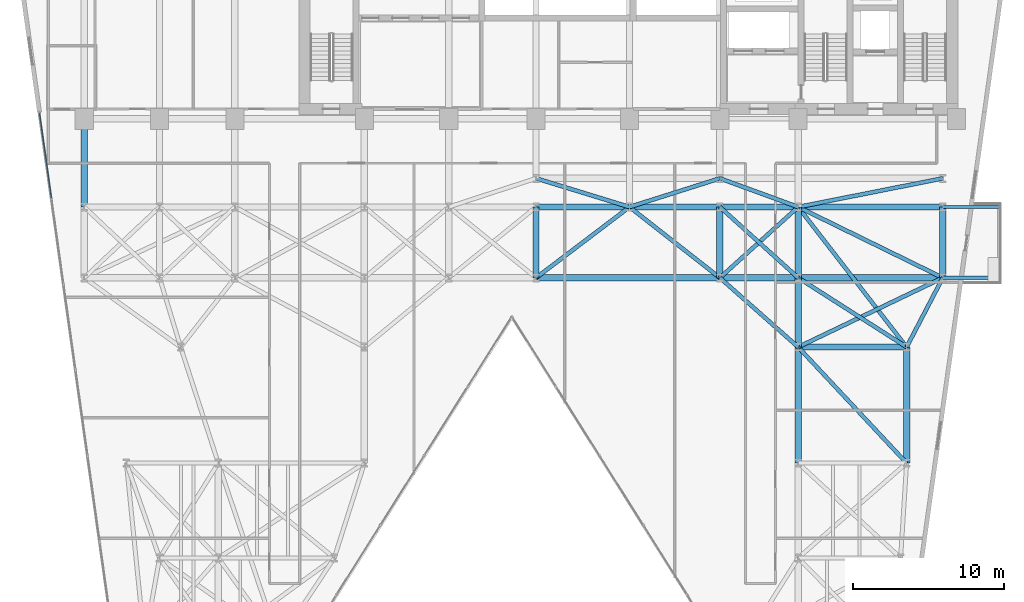
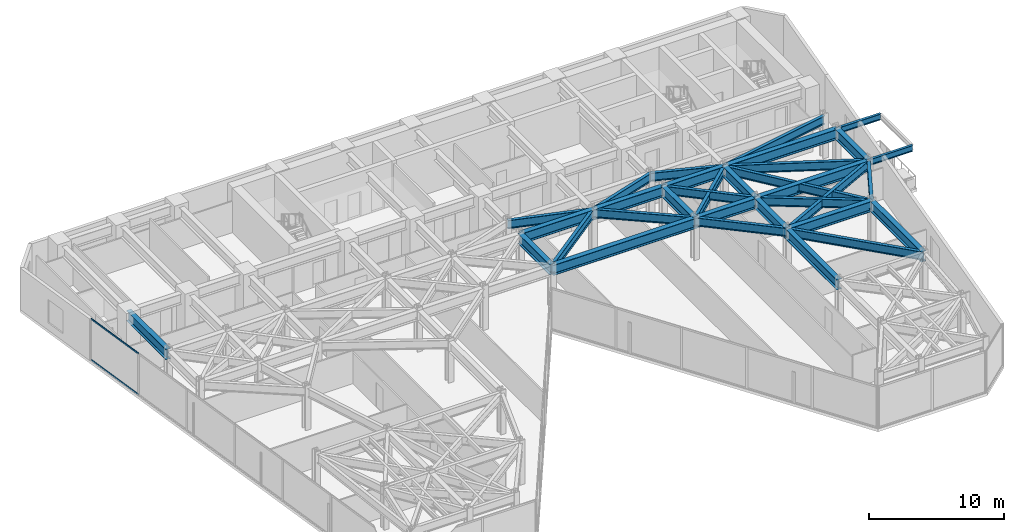
# One storey, part 16 of 24: 33 beams, 2 members, 1 element without a shape of its own.
"""IFC4 building model written with IfcOpenShell, lengths in metres."""

from ifc_helpers import new_model, si_unit, direction, frame, origin, origin_2d, place, context, subcontext, project, spatial, hollow_rectangle, i_section, extrude, material, layer, layer_set, material_profile, profile_set, type_object, element, aggregate, save


model = new_model("IFC4")

# Units and contexts
model_context = context("Model", 3, precision=1e-05, world=origin(), true_north=direction((0.0, 1.0)))
body_context = subcontext(model_context, "Body", "Model", "MODEL_VIEW")
ifc_project = project(units=[si_unit("LENGTHUNIT", "METRE"), si_unit("AREAUNIT", "SQUARE_METRE"), si_unit("VOLUMEUNIT", "CUBIC_METRE"), si_unit("PLANEANGLEUNIT", "RADIAN"), si_unit("MASSUNIT", "GRAM", prefix="KILO")], contexts=[model_context])

# Site, building, storey
site_placement = place(None, origin())
site = spatial("IfcSite", under=ifc_project, at=site_placement, CompositionType="ELEMENT")
building_placement = place(site_placement, origin())
building = spatial("IfcBuilding", under=site, at=building_placement, Name="Kravanh Interchange Tower", CompositionType="ELEMENT")
storey_placement = place(building_placement, frame((0.0, 0.0, 53.5)))
storey = spatial("IfcBuildingStorey", under=building, at=storey_placement, Name="L12", CompositionType="ELEMENT", Elevation=53.5)

# Curtain wall, members
ifc_material_1 = material(Name="Anodised Bronze Aluminium", Category="aluminium")
ifc_layer = layer(ifc_material_1, 0.179931640625)
ifc_layer_set = layer_set([ifc_layer], Name="Unitised Curtain Wall System CW-Z1 Lower Office")
curtain_wall_type = type_object("IfcCurtainWallType", Name="Unitised Curtain Wall System CW-Z1 Lower Office", PredefinedType="NOTDEFINED", material=ifc_layer_set)
curtain_wall_placement = place(storey_placement, origin())
curtain_wall = element("IfcCurtainWall", 1, at=curtain_wall_placement, inside=storey, type_object=curtain_wall_type, Name="L12 Unitised Curtain Wall CW-L12-01", PredefinedType="NOTDEFINED")
ifc_material_2 = material(Name="Anodised Bronze Aluminium", Category="aluminium")
ifc_material_profile_1 = material_profile(ifc_material_2, hollow_rectangle(XDim=0.06005859375, YDim=0.139892578125, WallThickness=0.00390625, at=origin_2d()), Name="ALU60X140X4")
ifc_profile_set_1 = profile_set([ifc_material_profile_1], Name="Anodised Bronze Aluminium")
member_type = type_object("IfcMemberType", Name="Curtain Wall Transom ALU60X140X4 Bronze", PredefinedType="USERDEFINED", material=ifc_profile_set_1)
member_1_placement = place(storey_placement, frame((6.422607421875, 32.1240234375, 0.030029296875), z_axis=(-0.139193386559, 0.990265217575, 0.0), x_axis=(-0.990265217575, -0.139193386559, 0.0)))
member_1 = element("IfcMember", 2, at=member_1_placement, type_object=member_type, Name="CW-Z1 transom 6.1", ObjectType="TRANSOM", PredefinedType="USERDEFINED", context=body_context, shape_type="SweptSolid", body=[
    extrude(hollow_rectangle(XDim=0.06005859375, YDim=0.139892578125, WallThickness=0.00390625, at=origin_2d()), origin(), (0.0, 0.0, 1.0), 5.661865234375),
])
member_2_placement = place(storey_placement, frame((6.422607421875, 32.1240234375, 3.7099609375), z_axis=(-0.139193386559, 0.990265217575, 0.0), x_axis=(-0.990265217575, -0.139193386559, 0.0)))
member_2 = element("IfcMember", 3, at=member_2_placement, type_object=member_type, Name="CW-Z1 transom 6.2", ObjectType="TRANSOM", PredefinedType="USERDEFINED", context=body_context, shape_type="SweptSolid", body=[
    extrude(hollow_rectangle(XDim=0.06005859375, YDim=0.139892578125, WallThickness=0.00390625, at=origin_2d()), origin(), (0.0, 0.0, 1.0), 5.661865234375),
])
aggregate(curtain_wall, [member_1, member_2])

# Beams
ifc_material_3 = material(Name="Structural Steel S355", Category="steel")
ifc_material_profile_2 = material_profile(ifc_material_3, i_section(OverallWidth=0.41796875, OverallDepth=0.927001953125, WebThickness=0.019287109375, FlangeThickness=0.031982421875, FilletRadius=0.028076171875, at=origin_2d()), Name="W36X231")
ifc_profile_set_2 = profile_set([ifc_material_profile_2], Name="Structural Steel S355")
beam_type_1 = type_object("IfcBeamType", Name="Floor Beam W36X231 Structural Steel S355", PredefinedType="BEAM", material=ifc_profile_set_2)
beam_1_placement = place(storey_placement, frame((8.60009765625, 37.35009765625, 3.276611328125), z_axis=(0.0, -1.0, 0.0), x_axis=(1.0, 0.0, 0.0)))
element("IfcBeam", 4, at=beam_1_placement, inside=storey, type_object=beam_type_1, Name="L12 Primary Floor Girder 36", PredefinedType="BEAM", context=body_context, shape_type="SweptSolid", body=[
    extrude(i_section(OverallWidth=0.41796875, OverallDepth=0.927001953125, WebThickness=0.019287109375, FlangeThickness=0.031982421875, FilletRadius=0.028076171875, at=origin_2d()), origin(), (0.0, 0.0, 1.0), 5.85009765625),
])
for number, where, z_axis, x_axis, name in (
    (5, (56.0, 14.5, 3.276611328125), (0.0, 1.0, 0.0), (-1.0, 0.0, 0.0), "L12 Primary Floor Girder 44"),
    (6, (63.199951171875, 14.5, 3.276611328125), (0.0, 1.0, 0.0), (-1.0, 0.0, 0.0), "L12 Primary Floor Girder 47"),
):
    element("IfcBeam", number, at=place(storey_placement, frame(where, z_axis=z_axis, x_axis=x_axis)), inside=storey, type_object=beam_type_1, Name=name, PredefinedType="BEAM", context=body_context, shape_type="SweptSolid", body=[
        extrude(i_section(OverallWidth=0.41796875, OverallDepth=0.927001953125, WebThickness=0.019287109375, FlangeThickness=0.031982421875, FilletRadius=0.028076171875, at=origin_2d()), origin(), (0.0, 0.0, 1.0), 7.699951171875),
    ])
beam_2_placement = place(storey_placement, frame((56.0, 22.199951171875, 3.276611328125), z_axis=(0.0, 1.0, 0.0), x_axis=(-1.0, 0.0, 0.0)))
element("IfcBeam", 7, at=beam_2_placement, inside=storey, type_object=beam_type_1, Name="L12 Primary Floor Girder 58", PredefinedType="BEAM", context=body_context, shape_type="SweptSolid", body=[
    extrude(i_section(OverallWidth=0.41796875, OverallDepth=0.927001953125, WebThickness=0.019287109375, FlangeThickness=0.031982421875, FilletRadius=0.028076171875, at=origin_2d()), origin(), (0.0, 0.0, 1.0), 4.60009765625),
])
beam_3_placement = place(storey_placement, frame((56.0, 22.199951171875, 3.276611328125), z_axis=(1.0, 0.0, 0.0), x_axis=(0.0, 1.0, 0.0)))
element("IfcBeam", 8, at=beam_3_placement, inside=storey, type_object=beam_type_1, Name="L12 Primary Floor Girder 60", PredefinedType="BEAM", context=body_context, shape_type="SweptSolid", body=[
    extrude(i_section(OverallWidth=0.41796875, OverallDepth=0.927001953125, WebThickness=0.019287109375, FlangeThickness=0.031982421875, FilletRadius=0.028076171875, at=origin_2d()), origin(), (0.0, 0.0, 1.0), 7.199951171875),
])
beam_4_placement = place(storey_placement, frame((38.60009765625, 26.800048828125, 3.276611328125), z_axis=(0.0, 1.0, 0.0), x_axis=(-1.0, 0.0, 0.0)))
element("IfcBeam", 9, at=beam_4_placement, inside=storey, type_object=beam_type_1, Name="L12 Primary Floor Girder 86", PredefinedType="BEAM", context=body_context, shape_type="SweptSolid", body=[
    extrude(i_section(OverallWidth=0.41796875, OverallDepth=0.927001953125, WebThickness=0.019287109375, FlangeThickness=0.031982421875, FilletRadius=0.028076171875, at=origin_2d()), origin(), (0.0, 0.0, 1.0), 4.699951171875),
])
beam_5_placement = place(storey_placement, frame((38.60009765625, 26.800048828125, 3.276611328125), z_axis=(1.0, 0.0, 0.0), x_axis=(0.0, 1.0, 0.0)))
element("IfcBeam", 10, at=beam_5_placement, inside=storey, type_object=beam_type_1, Name="L12 Primary Floor Girder 89", PredefinedType="BEAM", context=body_context, shape_type="SweptSolid", body=[
    extrude(i_section(OverallWidth=0.41796875, OverallDepth=0.927001953125, WebThickness=0.019287109375, FlangeThickness=0.031982421875, FilletRadius=0.028076171875, at=origin_2d()), origin(), (0.0, 0.0, 1.0), 12.199951171875),
])
beam_6_placement = place(storey_placement, frame((50.800048828125, 26.800048828125, 3.276611328125), z_axis=(0.0, 1.0, 0.0), x_axis=(-1.0, 0.0, 0.0)))
element("IfcBeam", 11, at=beam_6_placement, inside=storey, type_object=beam_type_1, Name="L12 Primary Floor Girder 90", PredefinedType="BEAM", context=body_context, shape_type="SweptSolid", body=[
    extrude(i_section(OverallWidth=0.41796875, OverallDepth=0.927001953125, WebThickness=0.019287109375, FlangeThickness=0.031982421875, FilletRadius=0.028076171875, at=origin_2d()), origin(), (0.0, 0.0, 1.0), 4.699951171875),
])
beam_7_placement = place(storey_placement, frame((50.800048828125, 26.800048828125, 3.276611328125), z_axis=(1.0, 0.0, 0.0), x_axis=(0.0, 1.0, 0.0)))
element("IfcBeam", 12, at=beam_7_placement, inside=storey, type_object=beam_type_1, Name="L12 Primary Floor Girder 91", PredefinedType="BEAM", context=body_context, shape_type="SweptSolid", body=[
    extrude(i_section(OverallWidth=0.41796875, OverallDepth=0.927001953125, WebThickness=0.019287109375, FlangeThickness=0.031982421875, FilletRadius=0.028076171875, at=origin_2d()), origin(), (0.0, 0.0, 1.0), 5.199951171875),
])
beam_8_placement = place(storey_placement, frame((56.0, 26.800048828125, 3.276611328125), z_axis=(0.0, 1.0, 0.0), x_axis=(-1.0, 0.0, 0.0)))
element("IfcBeam", 13, at=beam_8_placement, inside=storey, type_object=beam_type_1, Name="L12 Primary Floor Girder 94", PredefinedType="BEAM", context=body_context, shape_type="SweptSolid", body=[
    extrude(i_section(OverallWidth=0.41796875, OverallDepth=0.927001953125, WebThickness=0.019287109375, FlangeThickness=0.031982421875, FilletRadius=0.028076171875, at=origin_2d()), origin(), (0.0, 0.0, 1.0), 4.699951171875),
])
beam_9_placement = place(storey_placement, frame((56.0, 26.800048828125, 3.276611328125), z_axis=(1.0, 0.0, 0.0), x_axis=(0.0, 1.0, 0.0)))
element("IfcBeam", 14, at=beam_9_placement, inside=storey, type_object=beam_type_1, Name="L12 Primary Floor Girder 97", PredefinedType="BEAM", context=body_context, shape_type="SweptSolid", body=[
    extrude(i_section(OverallWidth=0.41796875, OverallDepth=0.927001953125, WebThickness=0.019287109375, FlangeThickness=0.031982421875, FilletRadius=0.028076171875, at=origin_2d()), origin(), (0.0, 0.0, 1.0), 9.60009765625),
])
beam_10_placement = place(storey_placement, frame((65.60009765625, 26.800048828125, 3.276611328125), z_axis=(0.0, 1.0, 0.0), x_axis=(-1.0, 0.0, 0.0)))
element("IfcBeam", 15, at=beam_10_placement, inside=storey, type_object=beam_type_1, Name="L12 Primary Floor Girder 98", PredefinedType="BEAM", context=body_context, shape_type="SweptSolid", body=[
    extrude(i_section(OverallWidth=0.41796875, OverallDepth=0.927001953125, WebThickness=0.019287109375, FlangeThickness=0.031982421875, FilletRadius=0.028076171875, at=origin_2d()), origin(), (0.0, 0.0, 1.0), 4.699951171875),
])
beam_11_placement = place(storey_placement, frame((38.60009765625, 31.5, 3.276611328125), z_axis=(1.0, 0.0, 0.0), x_axis=(0.0, 1.0, 0.0)))
element("IfcBeam", 16, at=beam_11_placement, inside=storey, type_object=beam_type_1, Name="L12 Primary Floor Girder 111", PredefinedType="BEAM", context=body_context, shape_type="SweptSolid", body=[
    extrude(i_section(OverallWidth=0.41796875, OverallDepth=0.927001953125, WebThickness=0.019287109375, FlangeThickness=0.031982421875, FilletRadius=0.028076171875, at=origin_2d()), origin(), (0.0, 0.0, 1.0), 6.199951171875),
])
beam_12_placement = place(storey_placement, frame((44.800048828125, 31.5, 3.276611328125), z_axis=(1.0, 0.0, 0.0), x_axis=(0.0, 1.0, 0.0)))
element("IfcBeam", 17, at=beam_12_placement, inside=storey, type_object=beam_type_1, Name="L12 Primary Floor Girder 113", PredefinedType="BEAM", context=body_context, shape_type="SweptSolid", body=[
    extrude(i_section(OverallWidth=0.41796875, OverallDepth=0.927001953125, WebThickness=0.019287109375, FlangeThickness=0.031982421875, FilletRadius=0.028076171875, at=origin_2d()), origin(), (0.0, 0.0, 1.0), 6.0),
])
beam_13_placement = place(storey_placement, frame((50.800048828125, 31.5, 3.276611328125), z_axis=(1.0, 0.0, 0.0), x_axis=(0.0, 1.0, 0.0)))
element("IfcBeam", 18, at=beam_13_placement, inside=storey, type_object=beam_type_1, Name="L12 Primary Floor Girder 116", PredefinedType="BEAM", context=body_context, shape_type="SweptSolid", body=[
    extrude(i_section(OverallWidth=0.41796875, OverallDepth=0.927001953125, WebThickness=0.019287109375, FlangeThickness=0.031982421875, FilletRadius=0.028076171875, at=origin_2d()), origin(), (0.0, 0.0, 1.0), 5.199951171875),
])
beam_14_placement = place(storey_placement, frame((56.0, 31.5, 3.276611328125), z_axis=(1.0, 0.0, 0.0), x_axis=(0.0, 1.0, 0.0)))
element("IfcBeam", 19, at=beam_14_placement, inside=storey, type_object=beam_type_1, Name="L12 Primary Floor Girder 119", PredefinedType="BEAM", context=body_context, shape_type="SweptSolid", body=[
    extrude(i_section(OverallWidth=0.41796875, OverallDepth=0.927001953125, WebThickness=0.019287109375, FlangeThickness=0.031982421875, FilletRadius=0.028076171875, at=origin_2d()), origin(), (0.0, 0.0, 1.0), 9.60009765625),
])
ifc_material_4 = material(Name="Structural Steel S355", Category="steel")
ifc_material_profile_3 = material_profile(ifc_material_4, i_section(OverallWidth=0.2099609375, OverallDepth=0.537109375, WebThickness=0.010986328125, FlangeThickness=0.017333984375, FilletRadius=0.02001953125, at=origin_2d()), Name="W21X68")
ifc_profile_set_3 = profile_set([ifc_material_profile_3], Name="Structural Steel S355")
beam_type_2 = type_object("IfcBeamType", Name="Floor Spandrel W21X68 Structural Steel S355", PredefinedType="SPANDREL", material=ifc_profile_set_3)
for number, where, z_axis, x_axis, name in (
    (20, (65.60009765625, 26.800048828125, 3.471435546875), (1.0, 0.0, 0.0), (0.0, 1.0, 0.0), "L12 Balcony Cantilever Outrigger E1"),
    (21, (65.60009765625, 31.5, 3.471435546875), (1.0, 0.0, 0.0), (0.0, 1.0, 0.0), "L12 Balcony Cantilever Outrigger E2"),
):
    element("IfcBeam", number, at=place(storey_placement, frame(where, z_axis=z_axis, x_axis=x_axis)), inside=storey, type_object=beam_type_2, Name=name, PredefinedType="SPANDREL", context=body_context, shape_type="SweptSolid", body=[
        extrude(i_section(OverallWidth=0.2099609375, OverallDepth=0.537109375, WebThickness=0.010986328125, FlangeThickness=0.017333984375, FilletRadius=0.02001953125, at=origin_2d()), origin(), (0.0, 0.0, 1.0), 3.72998046875),
    ])
ifc_material_5 = material(Name="Structural Steel S355", Category="steel")
ifc_material_profile_4 = material_profile(ifc_material_5, i_section(OverallWidth=0.26708984375, OverallDepth=0.761962890625, WebThickness=0.014404296875, FlangeThickness=0.021484375, FilletRadius=0.02490234375, at=origin_2d()), Name="W30X116")
ifc_profile_set_4 = profile_set([ifc_material_profile_4], Name="Structural Steel S355")
beam_type_3 = type_object("IfcBeamType", Name="Floor Spandrel W30X116 Structural Steel S355", PredefinedType="SPANDREL", material=ifc_profile_set_4)
beam_15_placement = place(storey_placement, frame((63.199951171875, 14.5, 3.35888671875), z_axis=(-0.682993762113, 0.73042420614, 0.0), x_axis=(-0.73042420614, -0.682993762113, 0.0)))
element("IfcBeam", 22, at=beam_15_placement, inside=storey, type_object=beam_type_3, Name="L12 Perimeter Spandrel 49", PredefinedType="SPANDREL", context=body_context, shape_type="SweptSolid", body=[
    extrude(i_section(OverallWidth=0.26708984375, OverallDepth=0.761962890625, WebThickness=0.014404296875, FlangeThickness=0.021484375, FilletRadius=0.02490234375, at=origin_2d()), origin(), (0.0, 0.0, 1.0), 10.541748046875),
])
beam_16_placement = place(storey_placement, frame((56.0, 22.199951171875, 3.35888671875), z_axis=(-0.74898649432, 0.662585263439, 0.0), x_axis=(-0.662585263439, -0.74898649432, 0.0)))
element("IfcBeam", 23, at=beam_16_placement, inside=storey, type_object=beam_type_3, Name="L12 Perimeter Spandrel 59", PredefinedType="SPANDREL", context=body_context, shape_type="SweptSolid", body=[
    extrude(i_section(OverallWidth=0.26708984375, OverallDepth=0.761962890625, WebThickness=0.014404296875, FlangeThickness=0.021484375, FilletRadius=0.02490234375, at=origin_2d()), origin(), (0.0, 0.0, 1.0), 6.942626953125),
])
beam_17_placement = place(storey_placement, frame((56.0, 22.199951171875, 3.35888671875), z_axis=(0.901814166789, 0.432124066188, 0.0), x_axis=(-0.432124066188, 0.901814166789, 0.0)))
element("IfcBeam", 24, at=beam_17_placement, inside=storey, type_object=beam_type_3, Name="L12 Perimeter Spandrel 61", PredefinedType="SPANDREL", context=body_context, shape_type="SweptSolid", body=[
    extrude(i_section(OverallWidth=0.26708984375, OverallDepth=0.761962890625, WebThickness=0.014404296875, FlangeThickness=0.021484375, FilletRadius=0.02490234375, at=origin_2d()), origin(), (0.0, 0.0, 1.0), 10.645263671875),
])
beam_18_placement = place(storey_placement, frame((63.199951171875, 22.199951171875, 3.35888671875), z_axis=(0.462580479178, 0.886577295155, 0.0), x_axis=(-0.886577295155, 0.462580479178, 0.0)))
element("IfcBeam", 25, at=beam_18_placement, inside=storey, type_object=beam_type_3, Name="L12 Perimeter Spandrel 62", PredefinedType="SPANDREL", context=body_context, shape_type="SweptSolid", body=[
    extrude(i_section(OverallWidth=0.26708984375, OverallDepth=0.761962890625, WebThickness=0.014404296875, FlangeThickness=0.021484375, FilletRadius=0.02490234375, at=origin_2d()), origin(), (0.0, 0.0, 1.0), 5.188720703125),
])
beam_19_placement = place(storey_placement, frame((63.199951171875, 22.199951171875, 3.35888671875), z_axis=(-0.842689417531, 0.53839998661, 0.0), x_axis=(-0.53839998661, -0.842689417531, 0.0)))
element("IfcBeam", 26, at=beam_19_placement, inside=storey, type_object=beam_type_3, Name="L12 Perimeter Spandrel 63", PredefinedType="SPANDREL", context=body_context, shape_type="SweptSolid", body=[
    extrude(i_section(OverallWidth=0.26708984375, OverallDepth=0.761962890625, WebThickness=0.014404296875, FlangeThickness=0.021484375, FilletRadius=0.02490234375, at=origin_2d()), origin(), (0.0, 0.0, 1.0), 8.5439453125),
])
beam_20_placement = place(storey_placement, frame((63.199951171875, 22.199951171875, 3.35888671875), z_axis=(-0.612168587637, 0.790727273028, 0.0), x_axis=(-0.790727273028, -0.612168587637, 0.0)))
element("IfcBeam", 27, at=beam_20_placement, inside=storey, type_object=beam_type_3, Name="L12 Perimeter Spandrel 65", PredefinedType="SPANDREL", context=body_context, shape_type="SweptSolid", body=[
    extrude(i_section(OverallWidth=0.26708984375, OverallDepth=0.761962890625, WebThickness=0.014404296875, FlangeThickness=0.021484375, FilletRadius=0.02490234375, at=origin_2d()), origin(), (0.0, 0.0, 1.0), 11.761474609375),
])
beam_21_placement = place(storey_placement, frame((38.60009765625, 26.800048828125, 3.35888671875), z_axis=(0.796905365509, 0.604104161898, 0.0), x_axis=(-0.604104161898, 0.796905365509, 0.0)))
element("IfcBeam", 28, at=beam_21_placement, inside=storey, type_object=beam_type_3, Name="L12 Perimeter Spandrel 88", PredefinedType="SPANDREL", context=body_context, shape_type="SweptSolid", body=[
    extrude(i_section(OverallWidth=0.26708984375, OverallDepth=0.761962890625, WebThickness=0.014404296875, FlangeThickness=0.021484375, FilletRadius=0.02490234375, at=origin_2d()), origin(), (0.0, 0.0, 1.0), 7.780029296875),
])
beam_22_placement = place(storey_placement, frame((50.800048828125, 26.800048828125, 3.35888671875), z_axis=(0.741874009795, 0.670539300557, 0.0), x_axis=(-0.670539300557, 0.741874009795, 0.0)))
element("IfcBeam", 29, at=beam_22_placement, inside=storey, type_object=beam_type_3, Name="L12 Perimeter Spandrel 92", PredefinedType="SPANDREL", context=body_context, shape_type="SweptSolid", body=[
    extrude(i_section(OverallWidth=0.26708984375, OverallDepth=0.761962890625, WebThickness=0.014404296875, FlangeThickness=0.021484375, FilletRadius=0.02490234375, at=origin_2d()), origin(), (0.0, 0.0, 1.0), 7.00927734375),
])
beam_23_placement = place(storey_placement, frame((50.800048828125, 26.800048828125, 3.35888671875), z_axis=(-0.787231163579, 0.616658004967, 0.0), x_axis=(-0.616658004967, -0.787231163579, 0.0)))
element("IfcBeam", 30, at=beam_23_placement, inside=storey, type_object=beam_type_3, Name="L12 Perimeter Spandrel 93", PredefinedType="SPANDREL", context=body_context, shape_type="SweptSolid", body=[
    extrude(i_section(OverallWidth=0.26708984375, OverallDepth=0.761962890625, WebThickness=0.014404296875, FlangeThickness=0.021484375, FilletRadius=0.02490234375, at=origin_2d()), origin(), (0.0, 0.0, 1.0), 7.62158203125),
])
beam_24_placement = place(storey_placement, frame((56.0, 26.800048828125, 3.35888671875), z_axis=(-0.741874009795, 0.670539300557, 0.0), x_axis=(-0.670539300557, -0.741874009795, 0.0)))
element("IfcBeam", 31, at=beam_24_placement, inside=storey, type_object=beam_type_3, Name="L12 Perimeter Spandrel 95", PredefinedType="SPANDREL", context=body_context, shape_type="SweptSolid", body=[
    extrude(i_section(OverallWidth=0.26708984375, OverallDepth=0.761962890625, WebThickness=0.014404296875, FlangeThickness=0.021484375, FilletRadius=0.02490234375, at=origin_2d()), origin(), (0.0, 0.0, 1.0), 7.00927734375),
])
beam_25_placement = place(storey_placement, frame((65.60009765625, 26.800048828125, 3.35888671875), z_axis=(-0.898141688387, 0.439706160499, 0.0), x_axis=(-0.439706160499, -0.898141688387, 0.0)))
element("IfcBeam", 32, at=beam_25_placement, inside=storey, type_object=beam_type_3, Name="L12 Perimeter Spandrel 99", PredefinedType="SPANDREL", context=body_context, shape_type="SweptSolid", body=[
    extrude(i_section(OverallWidth=0.26708984375, OverallDepth=0.761962890625, WebThickness=0.014404296875, FlangeThickness=0.021484375, FilletRadius=0.02490234375, at=origin_2d()), origin(), (0.0, 0.0, 1.0), 10.68896484375),
])
beam_26_placement = place(storey_placement, frame((44.800048828125, 31.5, 3.35888671875), z_axis=(0.953346691051, 0.301877602122, 0.0), x_axis=(-0.301877602122, 0.953346691051, 0.0)))
element("IfcBeam", 33, at=beam_26_placement, inside=storey, type_object=beam_type_3, Name="L12 Perimeter Spandrel 114", PredefinedType="SPANDREL", context=body_context, shape_type="SweptSolid", body=[
    extrude(i_section(OverallWidth=0.26708984375, OverallDepth=0.761962890625, WebThickness=0.014404296875, FlangeThickness=0.021484375, FilletRadius=0.02490234375, at=origin_2d()), origin(), (0.0, 0.0, 1.0), 6.293701171875),
])
beam_27_placement = place(storey_placement, frame((44.800048828125, 31.5, 3.35888671875), z_axis=(-0.956115397264, 0.292990353279, 0.0), x_axis=(-0.292990353279, -0.956115397264, 0.0)))
element("IfcBeam", 34, at=beam_27_placement, inside=storey, type_object=beam_type_3, Name="L12 Perimeter Spandrel 115", PredefinedType="SPANDREL", context=body_context, shape_type="SweptSolid", body=[
    extrude(i_section(OverallWidth=0.26708984375, OverallDepth=0.761962890625, WebThickness=0.014404296875, FlangeThickness=0.021484375, FilletRadius=0.02490234375, at=origin_2d()), origin(), (0.0, 0.0, 1.0), 6.484619140625),
])
beam_28_placement = place(storey_placement, frame((56.0, 31.5, 3.35888671875), z_axis=(-0.93926957103, 0.343180233896, 0.0), x_axis=(-0.343180233896, -0.93926957103, 0.0)))
element("IfcBeam", 35, at=beam_28_placement, inside=storey, type_object=beam_type_3, Name="L12 Perimeter Spandrel 118", PredefinedType="SPANDREL", context=body_context, shape_type="SweptSolid", body=[
    extrude(i_section(OverallWidth=0.26708984375, OverallDepth=0.761962890625, WebThickness=0.014404296875, FlangeThickness=0.021484375, FilletRadius=0.02490234375, at=origin_2d()), origin(), (0.0, 0.0, 1.0), 5.5361328125),
])
beam_29_placement = place(storey_placement, frame((56.0, 31.5, 3.35888671875), z_axis=(0.980974000807, 0.194139150457, 0.0), x_axis=(-0.194139150457, 0.980974000807, 0.0)))
element("IfcBeam", 36, at=beam_29_placement, inside=storey, type_object=beam_type_3, Name="L12 Perimeter Spandrel 120", PredefinedType="SPANDREL", context=body_context, shape_type="SweptSolid", body=[
    extrude(i_section(OverallWidth=0.26708984375, OverallDepth=0.761962890625, WebThickness=0.014404296875, FlangeThickness=0.021484375, FilletRadius=0.02490234375, at=origin_2d()), origin(), (0.0, 0.0, 1.0), 9.786376953125),
])

save(model, "model.ifc")
